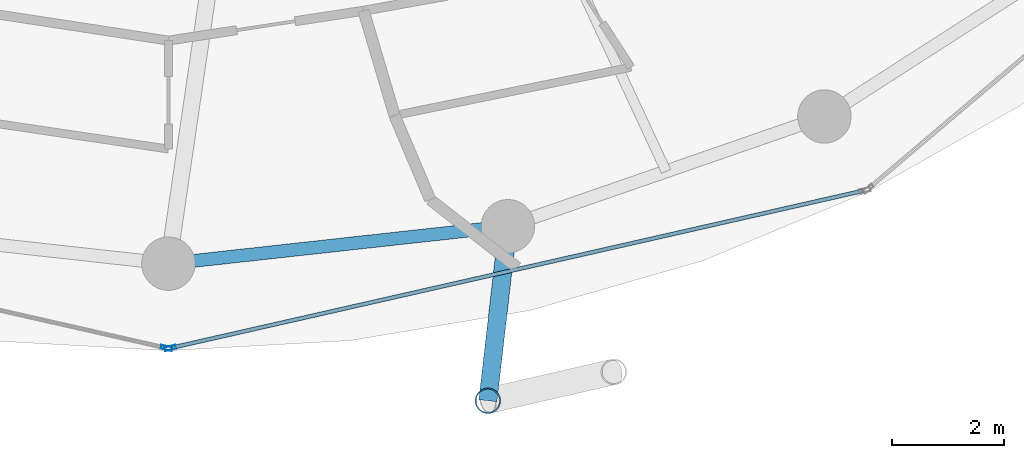
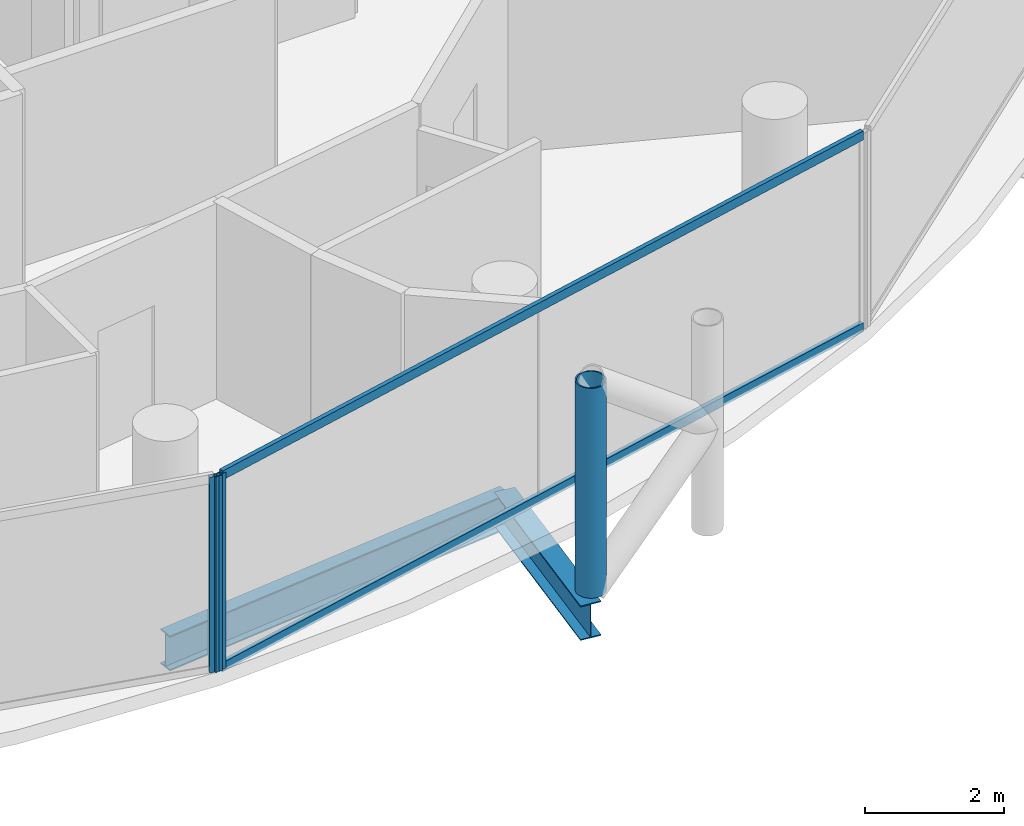
# One storey, part 4 of 26: 5 members, 2 beams, 2 elements without a shape of their own.
"""IFC4 building model written with IfcOpenShell, lengths in metres."""

from ifc_helpers import new_model, si_unit, direction, frame, origin, origin_2d, place, context, subcontext, project, spatial, hollow_rectangle, hollow_circle, i_section, extrude, material, layer, layer_set, material_profile, profile_set, type_object, element, aggregate, save


model = new_model("IFC4")

# Units and contexts
model_context = context("Model", 3, precision=1e-05, world=origin(), true_north=direction((0.0, 1.0)))
body_context = subcontext(model_context, "Body", "Model", "MODEL_VIEW")
ifc_project = project(units=[si_unit("LENGTHUNIT", "METRE"), si_unit("AREAUNIT", "SQUARE_METRE"), si_unit("VOLUMEUNIT", "CUBIC_METRE"), si_unit("PLANEANGLEUNIT", "RADIAN"), si_unit("MASSUNIT", "GRAM", prefix="KILO")], contexts=[model_context])

# Site, building, storey
site_placement = place(None, origin())
site = spatial("IfcSite", under=ifc_project, at=site_placement, CompositionType="ELEMENT")
building_placement = place(site_placement, origin())
building = spatial("IfcBuilding", under=site, at=building_placement, Name="Nuhasar Tower", CompositionType="ELEMENT")
storey_placement = place(building_placement, frame((0.0, 0.0, 140.449951171875)))
storey = spatial("IfcBuildingStorey", under=building, at=storey_placement, Name="L33", CompositionType="ELEMENT", Elevation=140.449951171875)

# Beams
ifc_material_1 = material(Name="Steel S355", Category="steel")
ifc_material_profile_1 = material_profile(ifc_material_1, i_section(OverallWidth=0.22998046875, OverallDepth=0.616943359375, WebThickness=0.01318359375, FlangeThickness=0.022216796875, at=origin_2d()), Name="W24X94")
ifc_profile_set_1 = profile_set([ifc_material_profile_1], Name="Steel S355")
beam_type_1 = type_object("IfcBeamType", Name="BM-RING-W24X94", PredefinedType="SPANDREL", material=ifc_profile_set_1)
beam_1_placement = place(storey_placement, frame((39.0, 7.25, -0.558837890625), z_axis=(0.993981289157, 0.109549974015, 0.0), x_axis=(-0.109549974015, 0.993981289157, 0.0)))
element("IfcBeam", 1, at=beam_1_placement, inside=storey, type_object=beam_type_1, Name="L33 Perimeter Ring Spandrel 19", PredefinedType="SPANDREL", context=body_context, shape_type="SweptSolid", body=[
    extrude(i_section(OverallWidth=0.22998046875, OverallDepth=0.616943359375, WebThickness=0.01318359375, FlangeThickness=0.022216796875, at=origin_2d()), origin(), (0.0, 0.0, 1.0), 6.07958984375),
])
ifc_material_profile_2 = material_profile(ifc_material_1, i_section(OverallWidth=0.323974609375, OverallDepth=0.611083984375, WebThickness=0.0126953125, FlangeThickness=0.01904296875, at=origin_2d()), Name="W24X104")
ifc_profile_set_2 = profile_set([ifc_material_profile_2], Name="Steel S355")
beam_type_2 = type_object("IfcBeamType", Name="BM-TIE-W24X104", PredefinedType="BEAM", material=ifc_profile_set_2)
beam_2_placement = place(storey_placement, frame((45.04296875, 7.916015625, -0.555908203125), z_axis=(-0.114167639647, -0.993461499031, 0.0), x_axis=(0.993461499031, -0.114167639647, 0.0)))
element("IfcBeam", 2, at=beam_2_placement, inside=storey, type_object=beam_type_2, Name="L33 Exoskeleton Node Tie Beam 10", PredefinedType="BEAM", context=body_context, shape_type="SweptSolid", body=[
    extrude(i_section(OverallWidth=0.323974609375, OverallDepth=0.611083984375, WebThickness=0.0126953125, FlangeThickness=0.01904296875, at=origin_2d()), origin(), (0.0, 0.0, 1.0), 3.12646484375),
])

# Curtain wall, member
ifc_material_2 = material(Name="Aluminium 6063-T6", Category="aluminium")
ifc_layer = layer(ifc_material_2, 0.199951171875)
ifc_layer_set = layer_set([ifc_layer], Name="Aluminium 6063-T6")
curtain_wall_type = type_object("IfcCurtainWallType", Name="CW-Z2-HTL", PredefinedType="NOTDEFINED", material=ifc_layer_set)
curtain_wall_1_placement = place(storey_placement, origin())
curtain_wall_1 = element("IfcCurtainWall", 3, at=curtain_wall_1_placement, inside=storey, type_object=curtain_wall_type, Name="L33 Unitised Curtain Wall 09", PredefinedType="NOTDEFINED")
ifc_material_profile_3 = material_profile(ifc_material_2, hollow_rectangle(XDim=0.070068359375, YDim=0.199951171875, WallThickness=0.0048828125, at=origin_2d()), Name="CWM-3")
ifc_profile_set_3 = profile_set([ifc_material_profile_3], Name="Aluminium 6063-T6")
member_type_1 = type_object("IfcMemberType", Name="CW-MUL-S3", PredefinedType="MULLION", material=ifc_profile_set_3)
member_1_placement = place(storey_placement, frame((38.9658203125, 5.747802734375, 0.0), z_axis=(0.0, 0.0, 1.0), x_axis=(0.22139729566, 0.975183694221, 0.0)))
member_1 = element("IfcMember", 4, at=member_1_placement, type_object=member_type_1, Name="CW-Z2 mullion 2", PredefinedType="MULLION", context=body_context, shape_type="SweptSolid", body=[
    extrude(hollow_rectangle(XDim=0.070068359375, YDim=0.199951171875, WallThickness=0.0048828125, at=origin_2d()), origin(), (0.0, 0.0, 1.0), 3.449951171875),
])
aggregate(curtain_wall_1, [member_1])

# Curtain wall, members
curtain_wall_2_placement = place(storey_placement, origin())
curtain_wall_2 = element("IfcCurtainWall", 5, at=curtain_wall_2_placement, inside=storey, type_object=curtain_wall_type, Name="L33 Unitised Curtain Wall 10", PredefinedType="NOTDEFINED")
member_2_placement = place(storey_placement, frame((39.0341796875, 5.747802734375, 0.0), z_axis=(0.0, 0.0, 1.0), x_axis=(-0.22139729566, 0.975183694221, 0.0)))
member_2 = element("IfcMember", 6, at=member_2_placement, type_object=member_type_1, Name="CW-Z2 mullion 1", PredefinedType="MULLION", context=body_context, shape_type="SweptSolid", body=[
    extrude(hollow_rectangle(XDim=0.070068359375, YDim=0.199951171875, WallThickness=0.0048828125, at=origin_2d()), origin(), (0.0, 0.0, 1.0), 3.449951171875),
])
ifc_material_profile_4 = material_profile(ifc_material_2, hollow_rectangle(XDim=0.070068359375, YDim=0.159912109375, WallThickness=0.00439453125, at=origin_2d()), Name="CWT-3")
ifc_profile_set_4 = profile_set([ifc_material_profile_4], Name="Aluminium 6063-T6")
member_type_2 = type_object("IfcMemberType", Name="CW-TRN-S3", PredefinedType="USERDEFINED", material=ifc_profile_set_4)
member_3_placement = place(storey_placement, frame((39.068359375, 5.755615234375, 0.03515625), z_axis=(0.975187615691, 0.221380022142, 0.0), x_axis=(-0.221380022142, 0.975187615691, 0.0)))
member_3 = element("IfcMember", 7, at=member_3_placement, type_object=member_type_2, Name="CW-Z2 transom 1.1", ObjectType="TRANSOM", PredefinedType="USERDEFINED", context=body_context, shape_type="SweptSolid", body=[
    extrude(hollow_rectangle(XDim=0.070068359375, YDim=0.159912109375, WallThickness=0.00439453125, at=origin_2d()), origin(), (0.0, 0.0, 1.0), 12.606201171875),
])
member_4_placement = place(storey_placement, frame((39.068359375, 5.755615234375, 3.4150390625), z_axis=(0.975187615691, 0.221380022142, 0.0), x_axis=(-0.221380022142, 0.975187615691, 0.0)))
member_4 = element("IfcMember", 8, at=member_4_placement, type_object=member_type_2, Name="CW-Z2 transom 1.2", ObjectType="TRANSOM", PredefinedType="USERDEFINED", context=body_context, shape_type="SweptSolid", body=[
    extrude(hollow_rectangle(XDim=0.070068359375, YDim=0.159912109375, WallThickness=0.00439453125, at=origin_2d()), origin(), (0.0, 0.0, 1.0), 12.606201171875),
])
aggregate(curtain_wall_2, [member_2, member_3, member_4])

# Member
ifc_material_3 = material(Name="Steel S460", Category="steel")
ifc_material_profile_5 = material_profile(ifc_material_3, hollow_circle(Radius=0.228515625, WallThickness=0.022216796875, at=origin_2d()), Name="HSS457X22.2")
ifc_profile_set_5 = profile_set([ifc_material_profile_5], Name="Steel S460")
member_type_3 = type_object("IfcMemberType", Name="EXO-BRONZE-457", PredefinedType="BRACE", material=ifc_profile_set_5)
member_5_placement = place(storey_placement, frame((44.68603515625, 4.81005859375, 0.0), z_axis=(0.0, 0.0, 1.0), x_axis=(1.0, 0.0, 0.0)))
element("IfcMember", 9, at=member_5_placement, inside=storey, type_object=member_type_3, Name="L33 Exoskeleton Chord Column EC-10A", PredefinedType="BRACE", context=body_context, shape_type="SweptSolid", body=[
    extrude(hollow_circle(Radius=0.228515625, WallThickness=0.022216796875, at=origin_2d()), origin(), (0.0, 0.0, 1.0), 3.699951171875),
])

save(model, "model.ifc")
